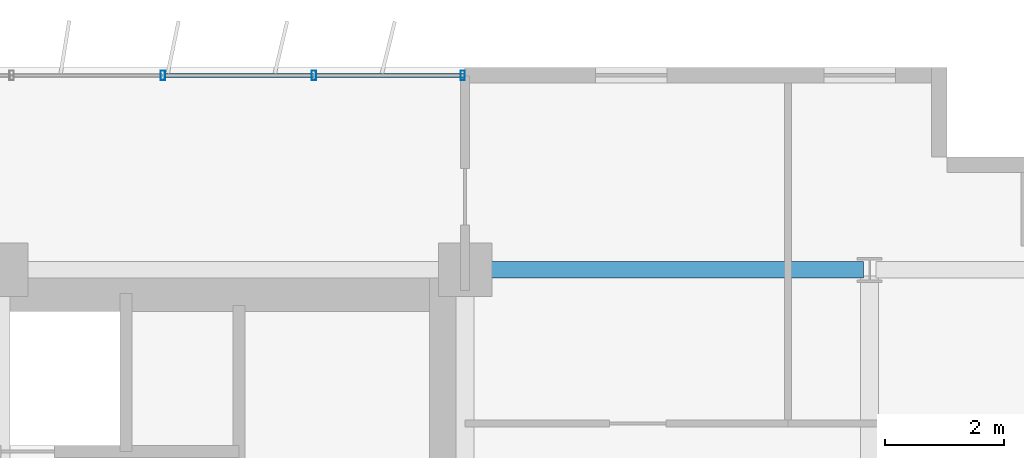
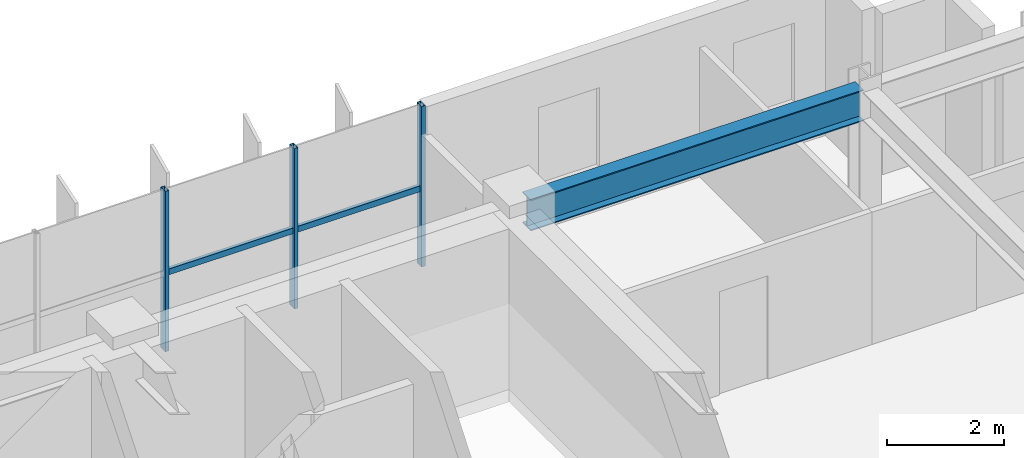
# One storey, part 12 of 22: 5 members, 1 beam, 1 element without a shape of its own.
"""IFC4 building model written with IfcOpenShell, lengths in metres."""

from ifc_helpers import new_model, si_unit, direction, frame, origin, origin_2d, place, context, subcontext, project, spatial, hollow_rectangle, i_section, extrude, source, transform, mapped, material, material_profile, profile_set, type_object, element, aggregate, save


model = new_model("IFC4")

# Units and contexts
model_context = context("Model", 3, precision=1e-05, world=origin(), true_north=direction((0.0, 1.0)))
body_context = subcontext(model_context, "Body", "Model", "MODEL_VIEW")
ifc_project = project(units=[si_unit("LENGTHUNIT", "METRE"), si_unit("AREAUNIT", "SQUARE_METRE"), si_unit("VOLUMEUNIT", "CUBIC_METRE"), si_unit("PLANEANGLEUNIT", "RADIAN"), si_unit("MASSUNIT", "GRAM", prefix="KILO")], contexts=[model_context])

# Site, building, storey
site_placement = place(None, origin())
site = spatial("IfcSite", under=ifc_project, at=site_placement, CompositionType="ELEMENT")
building_placement = place(site_placement, origin())
building = spatial("IfcBuilding", under=site, at=building_placement, Name="Trelvane Seafront Commons", CompositionType="ELEMENT")
storey_placement = place(building_placement, frame((0.0, 0.0, 48.699951171875)))
storey = spatial("IfcBuildingStorey", under=building, at=storey_placement, Name="L12", CompositionType="ELEMENT", Elevation=48.699951171875)

# Beam
ifc_material_1 = material(Name="Steel SM355 (S355)", Category="steel")
ifc_material_profile_1 = material_profile(ifc_material_1, i_section(OverallWidth=0.280029296875, OverallDepth=0.64990234375, WebThickness=0.012939453125, FlangeThickness=0.02197265625, at=origin_2d()), Name="H-650x280x13x22")
ifc_profile_set_1 = profile_set([ifc_material_profile_1], Name="Steel SM355 (S355)")
beam_type = type_object("IfcBeamType", Name="STR-BM-H650", PredefinedType="BEAM", material=ifc_profile_set_1)
shared_shape_1 = source(origin(), body_context, "Body", "SweptSolid", [
    extrude(i_section(OverallWidth=0.280029296875, OverallDepth=0.64990234375, WebThickness=0.012939453125, FlangeThickness=0.02197265625, at=origin_2d()), origin(), (0.0, 0.0, 1.0), 6.545166015625),
])
beam_placement = place(storey_placement, frame((58.949951171875, 45.10009765625, 3.01513671875), z_axis=(1.0, 0.0, 0.0), x_axis=(0.0, 1.0, 0.0)))
element("IfcBeam", 1, at=beam_placement, inside=storey, type_object=beam_type, Name="L12 Primary Girder G-35", PredefinedType="BEAM", context=body_context, shape_type="MappedRepresentation", body=[
    mapped(shared_shape_1, transform((0.0, 0.0, 0.0), x_axis=(1.0, 0.0, 0.0), y_axis=(0.0, 1.0, 0.0), z_axis=(0.0, 0.0, 1.0), scale=1.0)),
])

# Curtain wall, members
ifc_material_2 = material(Name="Anodised pale-silver aluminium", Category="aluminium")
curtain_wall_type = type_object("IfcCurtainWallType", Name="ARCH-CW2-LOWTOWER", PredefinedType="NOTDEFINED", material=ifc_material_2)
curtain_wall_placement = place(storey_placement, origin())
curtain_wall = element("IfcCurtainWall", 2, at=curtain_wall_placement, inside=storey, type_object=curtain_wall_type, Name="CW-L12-0036", PredefinedType="NOTDEFINED")
ifc_material_profile_2 = material_profile(ifc_material_2, hollow_rectangle(XDim=0.074951171875, YDim=0.159912109375, WallThickness=0.00390625, at=origin_2d()), Name="MULL-75x160x4")
ifc_profile_set_2 = profile_set([ifc_material_profile_2], Name="Anodised pale-silver aluminium")
member_type_1 = type_object("IfcMemberType", Name="ARCH-CW-MULL-160", PredefinedType="MULLION", material=ifc_profile_set_2)
shared_shape_2 = source(origin(), body_context, "Body", "SweptSolid", [
    extrude(hollow_rectangle(XDim=0.074951171875, YDim=0.159912109375, WallThickness=0.00390625, at=origin_2d()), origin(), (0.0, 0.0, 1.0), 3.340087890625),
])
member_1_placement = place(storey_placement, frame((53.717529296875, 48.3701171875, 0.0), z_axis=(0.0, 0.0, 1.0), x_axis=(1.0, 0.0, 0.0)))
member_1 = element("IfcMember", 3, at=member_1_placement, type_object=member_type_1, Name="CW-L12-0036-M15", PredefinedType="MULLION", context=body_context, shape_type="MappedRepresentation", body=[
    mapped(shared_shape_2, transform((0.0, 0.0, 0.0), x_axis=(1.0, 0.0, 0.0), y_axis=(0.0, 1.0, 0.0), z_axis=(0.0, 0.0, 1.0), scale=1.0)),
])
member_2_placement = place(storey_placement, frame((56.2587890625, 48.3701171875, 0.0), z_axis=(0.0, 0.0, 1.0), x_axis=(1.0, 0.0, 0.0)))
member_2 = element("IfcMember", 4, at=member_2_placement, type_object=member_type_1, Name="CW-L12-0036-M16", PredefinedType="MULLION", context=body_context, shape_type="MappedRepresentation", body=[
    mapped(shared_shape_2, transform((0.0, 0.0, 0.0), x_axis=(1.0, 0.0, 0.0), y_axis=(0.0, 1.0, 0.0), z_axis=(0.0, 0.0, 1.0), scale=1.0)),
])
member_3_placement = place(storey_placement, frame((58.760009765625, 48.3701171875, 0.0), z_axis=(0.0, 0.0, 1.0), x_axis=(1.0, 0.0, 0.0)))
member_3 = element("IfcMember", 5, at=member_3_placement, type_object=member_type_1, Name="CW-L12-0036-M17", PredefinedType="MULLION", context=body_context, shape_type="MappedRepresentation", body=[
    mapped(shared_shape_2, transform((0.0, 0.0, 0.0), x_axis=(1.0, 0.0, 0.0), y_axis=(0.0, 1.0, 0.0), z_axis=(0.0, 0.0, 1.0), scale=1.0)),
])
ifc_material_profile_3 = material_profile(ifc_material_2, hollow_rectangle(XDim=0.070068359375, YDim=0.1201171875, WallThickness=0.00390625, at=origin_2d()), Name="TRAN-70x120x4")
ifc_profile_set_3 = profile_set([ifc_material_profile_3], Name="Anodised pale-silver aluminium")
member_type_2 = type_object("IfcMemberType", Name="ARCH-CW-TRAN-120", PredefinedType="USERDEFINED", material=ifc_profile_set_3)
shared_shape_3 = source(origin(), body_context, "Body", "SweptSolid", [
    extrude(hollow_rectangle(XDim=0.070068359375, YDim=0.1201171875, WallThickness=0.00390625, at=origin_2d()), origin(), (0.0, 0.0, 1.0), 2.517333984375),
])
member_4_placement = place(storey_placement, frame((53.7294921875, 48.3701171875, 1.60302734375), z_axis=(1.0, 0.0, 0.0), x_axis=(0.0, 1.0, 0.0)))
member_4 = element("IfcMember", 6, at=member_4_placement, type_object=member_type_2, Name="CW-L12-0036-T15", ObjectType="TRANSOM", PredefinedType="USERDEFINED", context=body_context, shape_type="MappedRepresentation", body=[
    mapped(shared_shape_3, transform((0.0, 0.0, 0.0), x_axis=(1.0, 0.0, 0.0), y_axis=(0.0, 1.0, 0.0), z_axis=(0.0, 0.0, 1.0), scale=1.0)),
])
member_5_placement = place(storey_placement, frame((56.270751953125, 48.3701171875, 1.60302734375), z_axis=(1.0, 0.0, 0.0), x_axis=(0.0, 1.0, 0.0)))
member_5 = element("IfcMember", 7, at=member_5_placement, type_object=member_type_2, Name="CW-L12-0036-T16", ObjectType="TRANSOM", PredefinedType="USERDEFINED", context=body_context, shape_type="MappedRepresentation", body=[
    mapped(shared_shape_3, transform((0.0, 0.0, 0.0), x_axis=(1.0, 0.0, 0.0), y_axis=(0.0, 1.0, 0.0), z_axis=(0.0, 0.0, 1.0), scale=1.0)),
])
aggregate(curtain_wall, [member_1, member_2, member_3, member_4, member_5])

save(model, "model.ifc")
